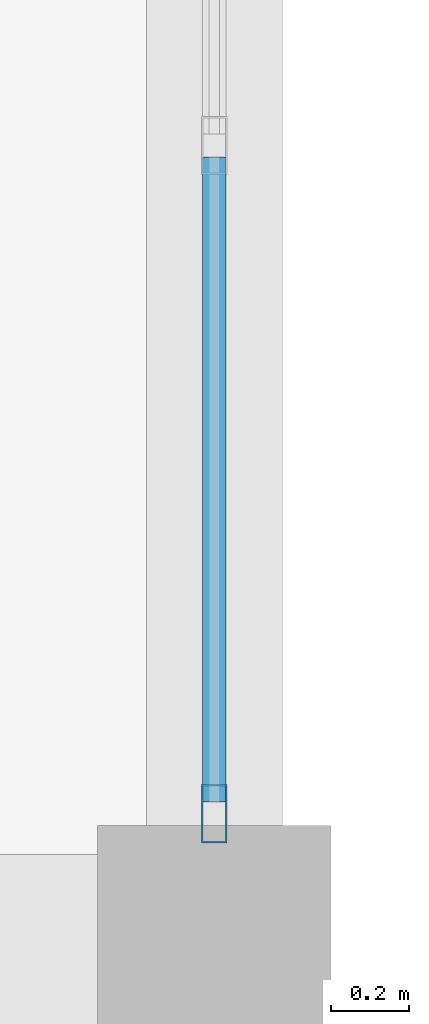
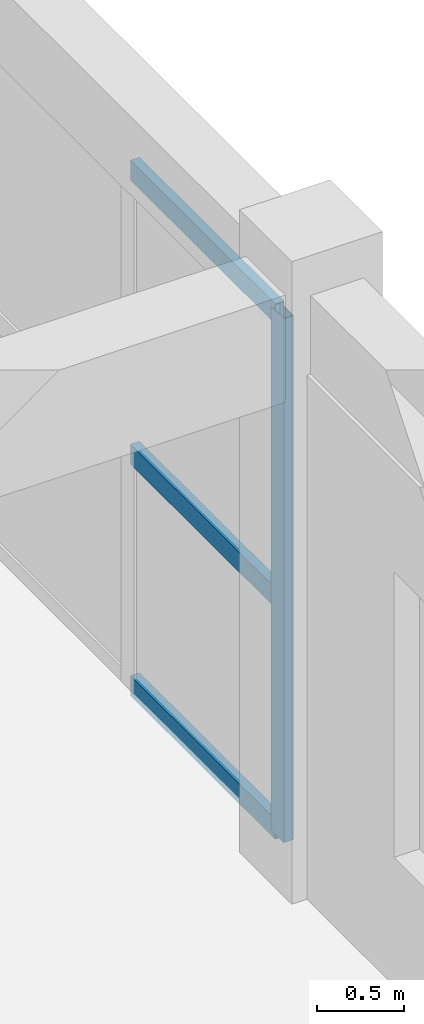
# One storey, part 4 of 79: 4 members, 1 element without a shape of its own.
"""IFC4 building model written with IfcOpenShell, lengths in metres."""

import ifcopenshell
import ifcopenshell.guid

model = None  # the IFC model being written
_history = None  # IfcOwnerHistory: only IFC2X3 demands one
_inside = {}  # id of a spatial element -> (the spatial element, [elements in it])
_under = {}  # id of a project, library or spatial element -> (it, [spatial elements below it])
_declared = {}  # id of a project -> (the project, [libraries it declares])
_typed = {}  # id of a type object -> (the type object, [elements of that type])
_made_of = {}  # id of a material, layer set ... -> (it, [elements and type objects made of it])


def new_model(schema):
    """Start an empty IFC model of exactly this schema.

    Asked for "IFC4X3", IfcOpenShell would pick the latest addendum, in which some entities
    have other attributes; the version numbers below select the first issue.
    IFC2X3 requires an IfcOwnerHistory on every rooted entity: one is made here for all.
    """
    global model, _history
    if schema == "IFC4X3":
        model = ifcopenshell.file(schema_version=(4, 3, 0, 0))
    else:
        model = ifcopenshell.file(schema=schema)
    _inside.clear()
    _under.clear()
    _declared.clear()
    _typed.clear()
    _made_of.clear()
    _history = None
    if model.schema == "IFC2X3":
        org = make("IfcOrganization", Name="unknown")
        user = make(
            "IfcPersonAndOrganization",
            ThePerson=make("IfcPerson", FamilyName="unknown"),
            TheOrganization=org,
        )
        app = make(
            "IfcApplication",
            ApplicationDeveloper=org,
            Version="unknown",
            ApplicationFullName="unknown",
            ApplicationIdentifier="unknown",
        )
        _history = make(
            "IfcOwnerHistory",
            OwningUser=user,
            OwningApplication=app,
            ChangeAction="ADDED",
            CreationDate=0,
        )
    return model


def make(cls, **values):
    """One entity of the class cls with the attributes given. An attribute that is None is left unset."""
    return model.create_entity(
        cls, **{name: value for name, value in values.items() if value is not None}
    )


def rooted(cls, **values):
    """An entity with a GlobalId (a new one), such as an element, a storey or a relation."""
    return make(cls, GlobalId=ifcopenshell.guid.new(), OwnerHistory=_history, **values)


def si_unit(unit_type, name, prefix=None):
    """IfcSIUnit, for example si_unit("LENGTHUNIT", "METRE", prefix="MILLI")."""
    return make("IfcSIUnit", UnitType=unit_type, Prefix=prefix, Name=name)


def assignment(units):
    """IfcUnitAssignment: the units of a project."""
    return None if units is None else make("IfcUnitAssignment", Units=units)


def point(xyz):
    """IfcCartesianPoint."""
    return None if xyz is None else make("IfcCartesianPoint", Coordinates=xyz)


def direction(xyz):
    """IfcDirection."""
    return None if xyz is None else make("IfcDirection", DirectionRatios=xyz)


def frame(location, z_axis=None, x_axis=None):
    """IfcAxis2Placement3D, a coordinate frame: its origin and axes. An axis left out is left unset."""
    return make(
        "IfcAxis2Placement3D",
        Location=point(location),
        Axis=direction(z_axis),
        RefDirection=direction(x_axis),
    )


def frame_2d(location, x_axis=None):
    """IfcAxis2Placement2D, a coordinate frame in the plane: its origin and x axis."""
    return make(
        "IfcAxis2Placement2D", Location=point(location), RefDirection=direction(x_axis)
    )


def origin():
    """The frame at (0, 0, 0) with its axes left unset."""
    return frame((0.0, 0.0, 0.0))


def origin_2d():
    """The frame at (0, 0) in the plane with its x axis left unset."""
    return frame_2d((0.0, 0.0))


def place(relative_to, where):
    """IfcLocalPlacement: puts the frame where relative to a parent placement (None: the world)."""
    return make(
        "IfcLocalPlacement", PlacementRelTo=relative_to, RelativePlacement=where
    )


def context(
    kind, dimensions, precision=None, world=None, true_north=None, identifier=None
):
    """IfcGeometricRepresentationContext, for example the 3D "Model" context."""
    return make(
        "IfcGeometricRepresentationContext",
        ContextIdentifier=identifier,
        ContextType=kind,
        CoordinateSpaceDimension=dimensions,
        Precision=precision,
        WorldCoordinateSystem=world,
        TrueNorth=true_north,
    )


def subcontext(parent, identifier, kind, view, scale=None):
    """IfcGeometricRepresentationSubContext, for example "Body" below "Model"."""
    return make(
        "IfcGeometricRepresentationSubContext",
        ContextIdentifier=identifier,
        ContextType=kind,
        ParentContext=parent,
        TargetScale=scale,
        TargetView=view,
    )


def project(units=None, contexts=None):
    """IfcProject with its units and contexts."""
    return rooted(
        "IfcProject",
        Name="project",
        RepresentationContexts=contexts,
        UnitsInContext=assignment(units),
    )


def spatial(cls, under=None, at=None, **own):
    """A site, building, storey or space (cls), placed at a placement, below another one or the project."""
    s = rooted(cls, ObjectPlacement=at, **own)
    if under is not None:
        _under.setdefault(under.id(), (under, []))[1].append(s)
    return s


def profile(cls, at=None, kind="AREA", **sizes):
    """A parametric profile (cls). Its sizes go by their IFC names, for example OverallWidth=200.0."""
    return make(cls, ProfileType=kind, Position=at, **sizes)


def hollow_rectangle(**sizes):
    """IfcRectangleHollowProfileDef."""
    return profile("IfcRectangleHollowProfileDef", **sizes)


def extrude(swept, where, along, depth):
    """IfcExtrudedAreaSolid: the profile swept, set in the frame where, extruded along a direction by depth."""
    return make(
        "IfcExtrudedAreaSolid",
        SweptArea=swept,
        Position=where,
        ExtrudedDirection=direction(along),
        Depth=depth,
    )


def shape(context_of_items, identifier, shape_type, items):
    """IfcShapeRepresentation: the items that make up one representation, for example the "Body"."""
    return make(
        "IfcShapeRepresentation",
        ContextOfItems=context_of_items,
        RepresentationIdentifier=identifier,
        RepresentationType=shape_type,
        Items=items,
    )


def material(Name=None, Category=None):
    """IfcMaterial."""
    return make("IfcMaterial", Name=Name, Category=Category)


def material_profile(
    of_material, cross_section, Name=None, Category=None, Priority=None
):
    """IfcMaterialProfile: a cross section and its material."""
    return make(
        "IfcMaterialProfile",
        Name=Name,
        Material=of_material,
        Profile=cross_section,
        Priority=Priority,
        Category=Category,
    )


def profile_set(profiles, Name=None, composite=None):
    """IfcMaterialProfileSet."""
    return make(
        "IfcMaterialProfileSet",
        Name=Name,
        MaterialProfiles=profiles,
        CompositeProfile=composite,
    )


def made_of(thing, what):
    """Note that an element or type object is made of a material, layer set ...; save() writes the relation."""
    if what is not None:
        _made_of.setdefault(what.id(), (what, []))[1].append(thing)
    return thing


def type_object(cls, material=None, **own):
    """A type object (cls), such as IfcWallType, which elements share."""
    return made_of(rooted(cls, **own), material)


def element(
    cls,
    number,
    at=None,
    inside=None,
    cuts=None,
    type_object=None,
    material=None,
    context=None,
    identifier="Body",
    shape_type=None,
    held_by="IfcProductDefinitionShape",
    body=None,
    shapes=None,
    **own,
):
    """One element of the class cls, such as IfcWall. Its Tag is "e" and its number.

    at: its placement. inside: the storey or other place that contains it. cuts: it is an
    opening in that element (IfcRelVoidsElement). A single representation is given by context,
    identifier, shape_type and body (its items); several are given by shapes. held_by: the class
    of the entity that holds the representations. save() writes the other relations.
    """
    e = rooted(cls, Tag="e%d" % number, ObjectPlacement=at, **own)
    if body is not None:
        shapes = [shape(context, identifier, shape_type, body)]
    if shapes is not None:
        e.Representation = make(held_by, Representations=shapes)
    if inside is not None:
        _inside.setdefault(inside.id(), (inside, []))[1].append(e)
    if cuts is not None:
        rooted(
            "IfcRelVoidsElement", RelatingBuildingElement=cuts, RelatedOpeningElement=e
        )
    if type_object is not None:
        _typed.setdefault(type_object.id(), (type_object, []))[1].append(e)
    return made_of(e, material)


def aggregate(whole, parts):
    """IfcRelAggregates: a whole, such as a stair, and the parts it consists of."""
    return rooted("IfcRelAggregates", RelatingObject=whole, RelatedObjects=parts)


def save(model, path):
    """Write the relations noted so far, then the file.

    IfcRelAggregates (storeys below a building ...), IfcRelContainedInSpatialStructure (elements
    in a storey), IfcRelDefinesByType, IfcRelAssociatesMaterial and IfcRelDeclares: one each for
    every whole, place, type object, material and project.
    """
    for whole, parts in _under.values():
        aggregate(whole, parts)
    for where, things in _inside.values():
        rooted(
            "IfcRelContainedInSpatialStructure",
            RelatedElements=things,
            RelatingStructure=where,
        )
    for kind, things in _typed.values():
        rooted("IfcRelDefinesByType", RelatedObjects=things, RelatingType=kind)
    for what, things in _made_of.values():
        rooted("IfcRelAssociatesMaterial", RelatedObjects=things, RelatingMaterial=what)
    for by, libraries in _declared.values():
        rooted("IfcRelDeclares", RelatingContext=by, RelatedDefinitions=libraries)
    model.write(path)


model = new_model("IFC4")

# Units and contexts
model_context = context("Model", 3, precision=1e-05, world=origin(), true_north=direction((0.0, 1.0)))
body_context = subcontext(model_context, "Body", "Model", "MODEL_VIEW")
ifc_project = project(units=[si_unit("LENGTHUNIT", "METRE"), si_unit("AREAUNIT", "SQUARE_METRE"), si_unit("VOLUMEUNIT", "CUBIC_METRE"), si_unit("PLANEANGLEUNIT", "RADIAN"), si_unit("MASSUNIT", "GRAM", prefix="KILO")], contexts=[model_context])

# Site, building, storey
site_placement = place(None, origin())
site = spatial("IfcSite", under=ifc_project, at=site_placement, CompositionType="ELEMENT")
building_placement = place(site_placement, origin())
building = spatial("IfcBuilding", under=site, at=building_placement, Name="Zantavel Square City Hall", CompositionType="ELEMENT")
storey_placement = place(building_placement, frame((0.0, 0.0, 10.199951171875)))
storey = spatial("IfcBuildingStorey", under=building, at=storey_placement, Name="L03", CompositionType="ELEMENT", Elevation=10.199951171875)

# Curtain wall, members
ifc_material = material(Name="Anodised aluminium 6063-T6", Category="aluminium")
curtain_wall_type = type_object("IfcCurtainWallType", Name="Curtain Wall CRT 7000x3670", PredefinedType="USERDEFINED", material=ifc_material)
curtain_wall_placement = place(storey_placement, origin())
curtain_wall = element("IfcCurtainWall", 1, at=curtain_wall_placement, inside=storey, type_object=curtain_wall_type, Name="L03 Glazed Curtain Wall CW-L03-100", ObjectType="GLAZED CURTAIN WALL", PredefinedType="USERDEFINED")
ifc_material_profile_1 = material_profile(ifc_material, hollow_rectangle(XDim=0.06494140625, YDim=0.14990234375, WallThickness=0.00390625, at=origin_2d()), Name="ALU 65x150x4")
ifc_profile_set_1 = profile_set([ifc_material_profile_1], Name="Anodised aluminium 6063-T6")
member_type_1 = type_object("IfcMemberType", Name="CW Mullion ALU 65x150x4", PredefinedType="MULLION", material=ifc_profile_set_1)
member_1_placement = place(storey_placement, frame((16.0, 38.330078125, 0.0), z_axis=(0.0, 0.0, 1.0), x_axis=(1.0, 0.0, 0.0)))
member_1 = element("IfcMember", 2, at=member_1_placement, type_object=member_type_1, Name="CW-100 mullion 5", PredefinedType="MULLION", context=body_context, shape_type="SweptSolid", body=[
    extrude(hollow_rectangle(XDim=0.06494140625, YDim=0.14990234375, WallThickness=0.00390625, at=origin_2d()), origin(), (0.0, 0.0, 1.0), 3.670166015625),
])
ifc_material_profile_2 = material_profile(ifc_material, hollow_rectangle(XDim=0.06005859375, YDim=0.139892578125, WallThickness=0.00390625, at=origin_2d()), Name="ALU 60x140x4")
ifc_profile_set_2 = profile_set([ifc_material_profile_2], Name="Anodised aluminium 6063-T6")
member_type_2 = type_object("IfcMemberType", Name="CW Transom ALU 60x140x4", PredefinedType="USERDEFINED", material=ifc_profile_set_2)
member_2_placement = place(storey_placement, frame((16.0, 40.02001953125, 0.030029296875), z_axis=(0.0, -1.0, 0.0), x_axis=(1.0, 0.0, 0.0)))
member_2 = element("IfcMember", 3, at=member_2_placement, type_object=member_type_2, Name="CW-100 transom 4.1", ObjectType="TRANSOM", PredefinedType="USERDEFINED", context=body_context, shape_type="SweptSolid", body=[
    extrude(hollow_rectangle(XDim=0.06005859375, YDim=0.139892578125, WallThickness=0.00390625, at=origin_2d()), origin(), (0.0, 0.0, 1.0), 1.659912109375),
])
member_3_placement = place(storey_placement, frame((16.0, 40.02001953125, 1.651123046875), z_axis=(0.0, -1.0, 0.0), x_axis=(1.0, 0.0, 0.0)))
member_3 = element("IfcMember", 4, at=member_3_placement, type_object=member_type_2, Name="CW-100 transom 4.2", ObjectType="TRANSOM", PredefinedType="USERDEFINED", context=body_context, shape_type="SweptSolid", body=[
    extrude(hollow_rectangle(XDim=0.06005859375, YDim=0.139892578125, WallThickness=0.00390625, at=origin_2d()), origin(), (0.0, 0.0, 1.0), 1.659912109375),
])
member_4_placement = place(storey_placement, frame((16.0, 40.02001953125, 3.64013671875), z_axis=(0.0, -1.0, 0.0), x_axis=(1.0, 0.0, 0.0)))
member_4 = element("IfcMember", 5, at=member_4_placement, type_object=member_type_2, Name="CW-100 transom 4.3", ObjectType="TRANSOM", PredefinedType="USERDEFINED", context=body_context, shape_type="SweptSolid", body=[
    extrude(hollow_rectangle(XDim=0.06005859375, YDim=0.139892578125, WallThickness=0.00390625, at=origin_2d()), origin(), (0.0, 0.0, 1.0), 1.659912109375),
])
aggregate(curtain_wall, [member_1, member_2, member_3, member_4])

save(model, "model.ifc")
